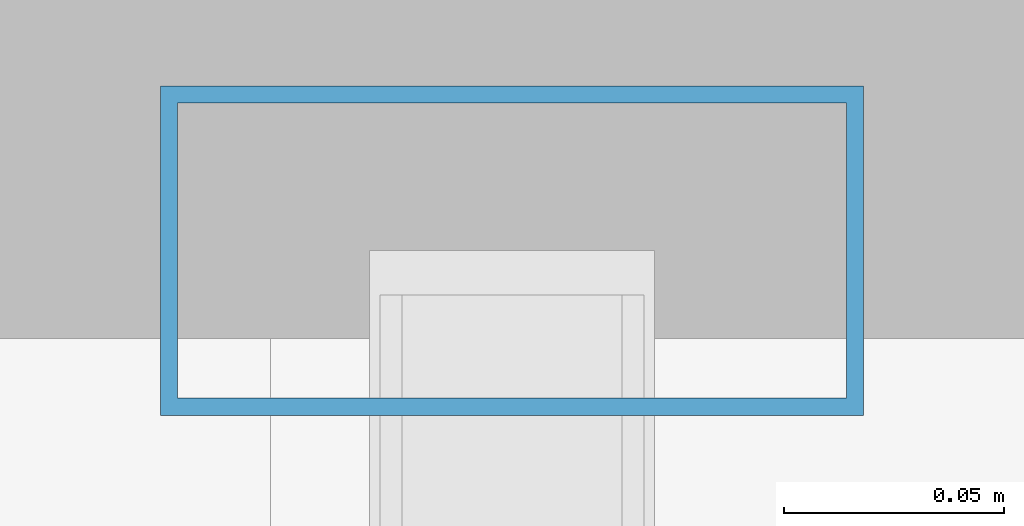
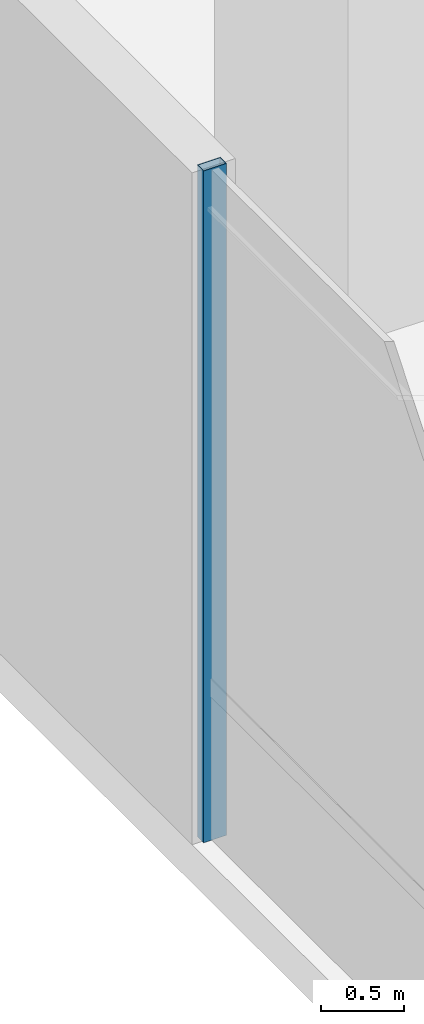
# One storey, part 12 of 39: 1 member, 1 element without a shape of its own.
"""IFC4 building model written with IfcOpenShell, lengths in metres."""

from ifc_helpers import new_model, si_unit, direction, frame, origin, origin_2d, place, context, subcontext, project, spatial, hollow_rectangle, extrude, source, transform, mapped, material, material_profile, profile_set, type_object, element, aggregate, save


model = new_model("IFC4")

# Units and contexts
model_context = context("Model", 3, precision=1e-05, world=origin(), true_north=direction((0.0, 1.0)))
body_context = subcontext(model_context, "Body", "Model", "MODEL_VIEW")
ifc_project = project(units=[si_unit("LENGTHUNIT", "METRE"), si_unit("AREAUNIT", "SQUARE_METRE"), si_unit("VOLUMEUNIT", "CUBIC_METRE"), si_unit("PLANEANGLEUNIT", "RADIAN"), si_unit("MASSUNIT", "GRAM", prefix="KILO")], contexts=[model_context])

# Site, building, storey
site_placement = place(None, origin())
site = spatial("IfcSite", under=ifc_project, at=site_placement, CompositionType="ELEMENT")
building_placement = place(site_placement, origin())
building = spatial("IfcBuilding", under=site, at=building_placement, Name="Valdorenza Pilgrim Sanctuary Tower", CompositionType="ELEMENT")
storey_placement = place(building_placement, frame((0.0, 0.0, 10.39990234375)))
storey = spatial("IfcBuildingStorey", under=building, at=storey_placement, Name="L02", CompositionType="ELEMENT", Elevation=10.39990234375)

# Curtain wall, member
ifc_material_1 = material(Name="Curtain-wall IGU glazing", Category="glass")
curtain_wall_type = type_object("IfcCurtainWallType", Name="CW-SYS-01", PredefinedType="NOTDEFINED", material=ifc_material_1)
curtain_wall_placement = place(storey_placement, origin())
curtain_wall = element("IfcCurtainWall", 1, at=curtain_wall_placement, inside=storey, type_object=curtain_wall_type, Name="L02 Curtain Wall CW-POD-L02-WW", PredefinedType="NOTDEFINED")
ifc_material_2 = material(Name="Anodised aluminium AW-6060", Category="aluminium")
ifc_material_profile = material_profile(ifc_material_2, hollow_rectangle(XDim=0.074951171875, YDim=0.159912109375, WallThickness=0.00390625, at=origin_2d()), Name="ALU-M 160x75x4")
ifc_profile_set = profile_set([ifc_material_profile], Name="Anodised aluminium AW-6060")
member_type = type_object("IfcMemberType", Name="CW-MUL-01", PredefinedType="MULLION", material=ifc_profile_set)
shared_shape = source(origin(), body_context, "Body", "SweptSolid", [
    extrude(hollow_rectangle(XDim=0.074951171875, YDim=0.159912109375, WallThickness=0.00390625, at=origin_2d()), origin(), (0.0, 0.0, 1.0), 4.920166015625),
])
member_placement = place(storey_placement, frame((-33.85009765625, 10.0, 0.0), z_axis=(0.0, 0.0, 1.0), x_axis=(0.0, 1.0, 0.0)))
member = element("IfcMember", 2, at=member_placement, type_object=member_type, Name="CW-POD-L02-WW Mullion 4", PredefinedType="MULLION", context=body_context, shape_type="MappedRepresentation", body=[
    mapped(shared_shape, transform((0.0, 0.0, 0.0), x_axis=(1.0, 0.0, 0.0), y_axis=(0.0, 1.0, 0.0), z_axis=(0.0, 0.0, 1.0), scale=1.0)),
])
aggregate(curtain_wall, [member])

save(model, "model.ifc")
